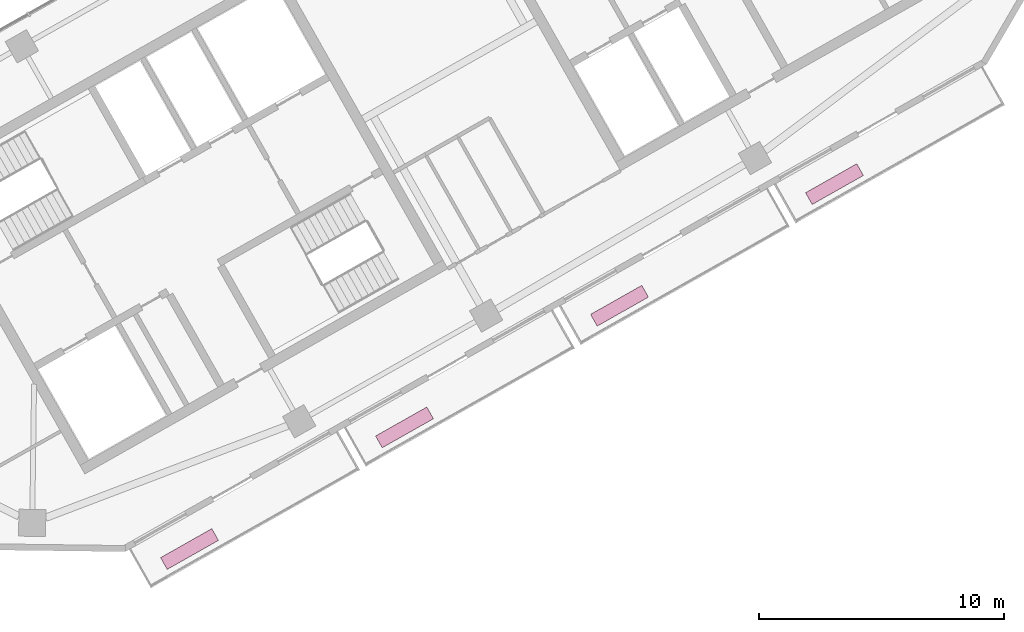
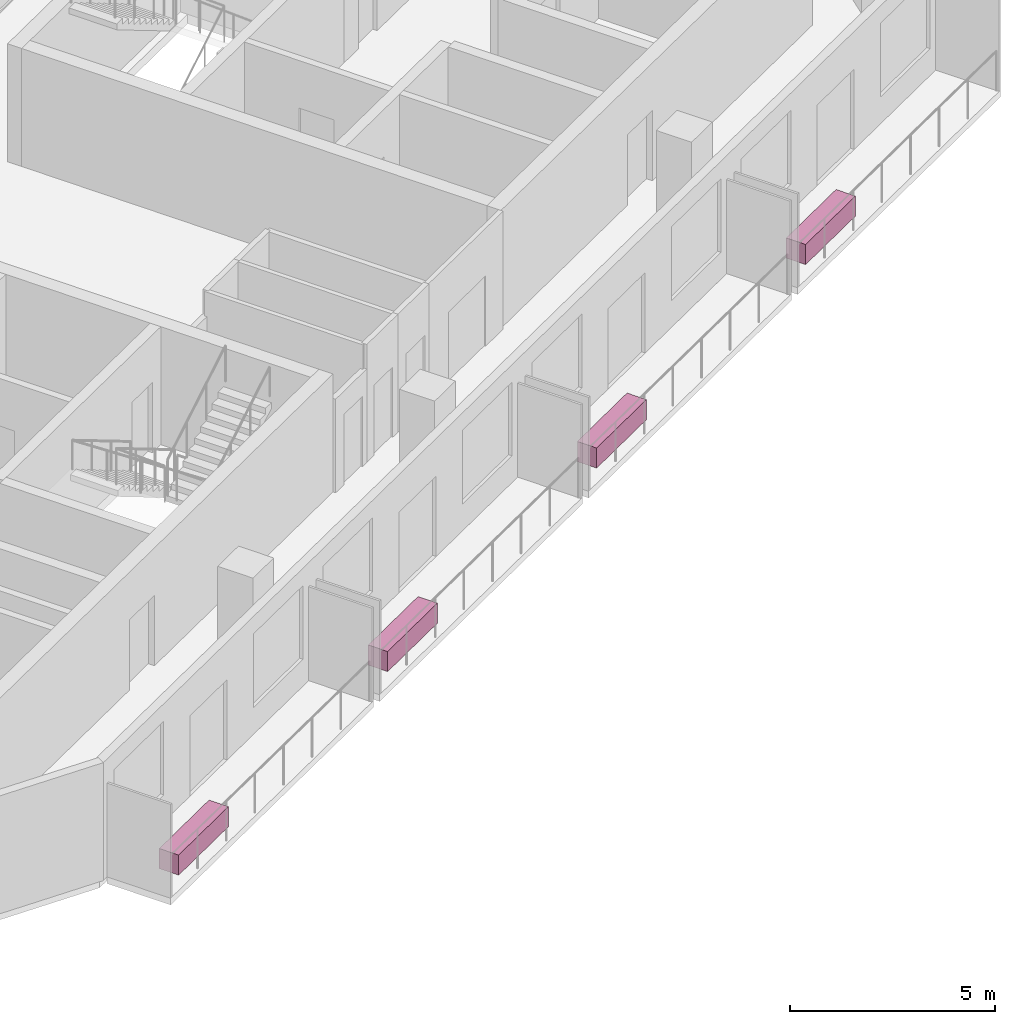
# One storey, part 10 of 10: 4 furnishings.
"""IFC4 building model written with IfcOpenShell, lengths in metres."""

from ifc_helpers import new_model, si_unit, direction, frame, origin, origin_2d, place, context, subcontext, project, spatial, rectangle, extrude, material, type_object, element, save


model = new_model("IFC4")

# Units and contexts
model_context = context("Model", 3, precision=1e-05, world=origin(), true_north=direction((0.0, 1.0)))
body_context = subcontext(model_context, "Body", "Model", "MODEL_VIEW")
ifc_project = project(units=[si_unit("LENGTHUNIT", "METRE"), si_unit("AREAUNIT", "SQUARE_METRE"), si_unit("VOLUMEUNIT", "CUBIC_METRE"), si_unit("PLANEANGLEUNIT", "RADIAN"), si_unit("MASSUNIT", "GRAM", prefix="KILO")], contexts=[model_context])

# Site, building, storey
site_placement = place(None, origin())
site = spatial("IfcSite", under=ifc_project, at=site_placement, CompositionType="ELEMENT")
building_placement = place(site_placement, origin())
building = spatial("IfcBuilding", under=site, at=building_placement, Name="Binnacle Exchange Tower", CompositionType="ELEMENT")
storey_placement = place(building_placement, frame((0.0, 0.0, 324.10009765625)))
storey = spatial("IfcBuildingStorey", under=building, at=storey_placement, Name="L73", CompositionType="ELEMENT", Elevation=324.10009765625)

# Furnishings
ifc_material = material(Name="Concrete C35/45", Category="concrete")
furnishing_element_type = type_object("IfcFurnishingElementType", Name="PLANTER 2400x550x600", material=ifc_material)
for number, where, z_axis, x_axis, name in (
    (1, (-35.44677734375, 26.428466796875, -0.000244140625), (0.0, 0.0, 1.0), (0.87035569594, 0.492423560103, 0.0), "Planter H07-B00a L73"),
    (2, (-26.683837890625, 31.38623046875, -0.000244140625), (0.0, 0.0, 1.0), (0.87035569594, 0.492423560103, 0.0), "Planter H07-B01a L73"),
    (3, (-17.9208984375, 36.34423828125, -0.000244140625), (0.0, 0.0, 1.0), (0.87035569594, 0.492423560103, 0.0), "Planter H07-B02a L73"),
    (4, (-9.158203125, 41.302001953125, -0.000244140625), (0.0, 0.0, 1.0), (0.87035569594, 0.492423560103, 0.0), "Planter H07-B03a L73"),
):
    element("IfcFurnishingElement", number, at=place(storey_placement, frame(where, z_axis=z_axis, x_axis=x_axis)), inside=storey, type_object=furnishing_element_type, Name=name, ObjectType="PLANTER", context=body_context, shape_type="SweptSolid", body=[
        extrude(rectangle(XDim=2.39990234375, YDim=0.550048828125, at=origin_2d()), origin(), (0.0, 0.0, 1.0), 0.60009765625),
    ])

save(model, "model.ifc")
